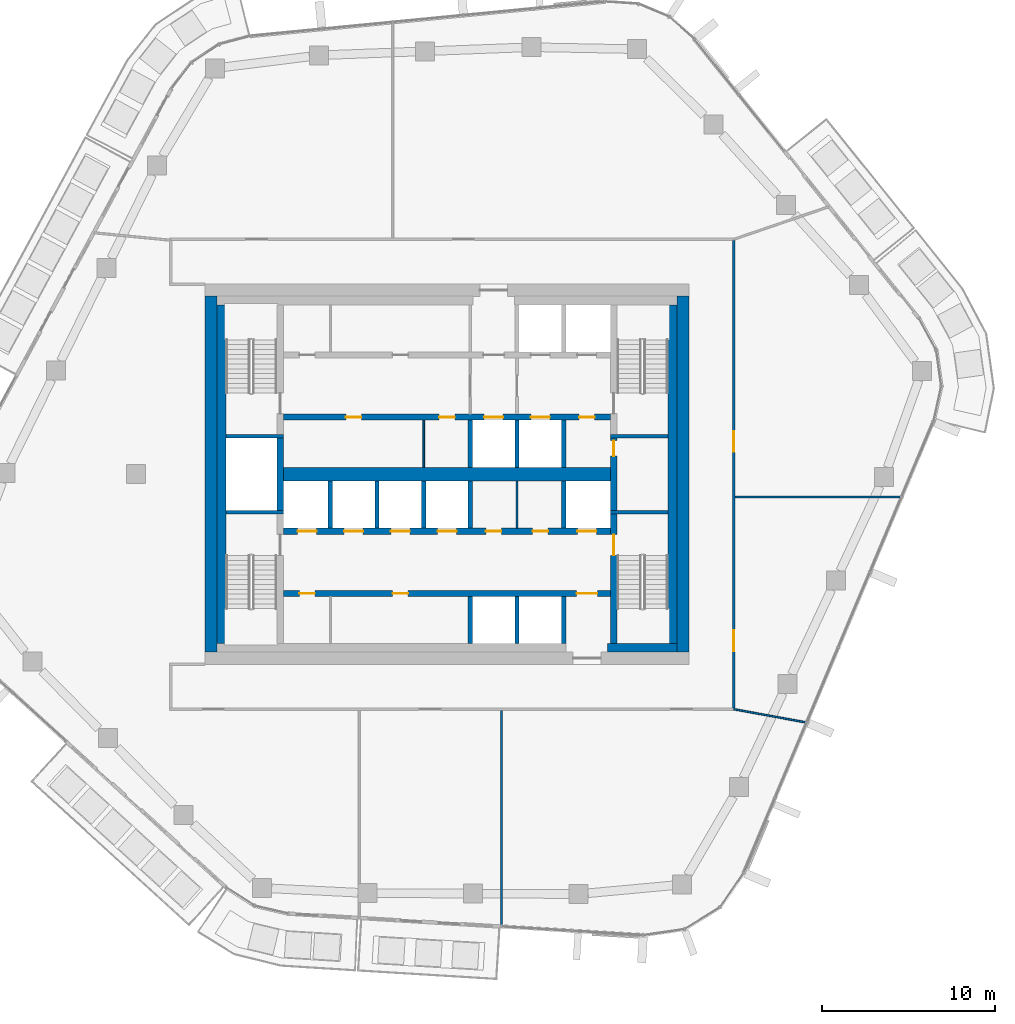
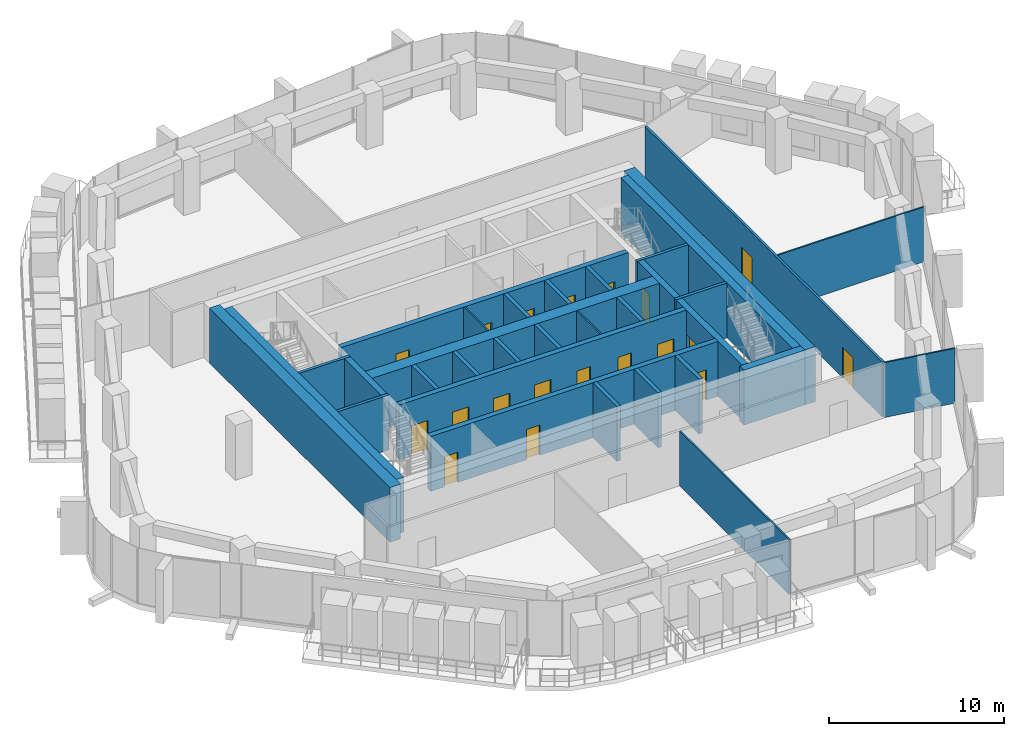
# One storey, part 12 of 20: 33 walls, 19 doors, 19 openings.
"""IFC4 building model written with IfcOpenShell, lengths in metres."""

from ifc_helpers import new_model, si_unit, direction, frame, frame_2d, origin, place, context, subcontext, project, spatial, rectangle, extrude, material, layer, layer_set, type_object, element, fill, save


model = new_model("IFC4")

# Units and contexts
model_context = context("Model", 3, precision=1e-05, world=origin(), true_north=direction((0.0, 1.0)))
body_context = subcontext(model_context, "Body", "Model", "MODEL_VIEW")
ifc_project = project(units=[si_unit("LENGTHUNIT", "METRE"), si_unit("AREAUNIT", "SQUARE_METRE"), si_unit("VOLUMEUNIT", "CUBIC_METRE"), si_unit("PLANEANGLEUNIT", "RADIAN"), si_unit("MASSUNIT", "GRAM", prefix="KILO")], contexts=[model_context])

# Site, building, storey
site_placement = place(None, origin())
site = spatial("IfcSite", under=ifc_project, at=site_placement, CompositionType="ELEMENT")
building_placement = place(site_placement, origin())
building = spatial("IfcBuilding", under=site, at=building_placement, Name="Dongbaek Canopy Tower", CompositionType="ELEMENT")
storey_placement = place(building_placement, frame((0.0, 0.0, 258.0)))
storey = spatial("IfcBuildingStorey", under=building, at=storey_placement, Name="L54", CompositionType="ELEMENT", Elevation=258.0)

# Wall
ifc_material_1 = material(Name="Concrete C60/75", Category="concrete")
ifc_layer_1 = layer(ifc_material_1, 0.800048828125)
ifc_layer_set_1 = layer_set([ifc_layer_1], Name="Core central wall 800 Concrete C60/75")
wall_type_1 = type_object("IfcWallType", Name="Core central wall 800 Concrete C60/75", PredefinedType="SHEAR", material=ifc_layer_set_1)
wall_1_placement = place(storey_placement, frame((-9.449951171875, 0.0, 0.0), z_axis=(0.0, 0.0, 1.0), x_axis=(1.0, 0.0, 0.0)))
element("IfcWall", 1, at=wall_1_placement, inside=storey, type_object=wall_type_1, Name="Core wall", PredefinedType="SHEAR", context=body_context, shape_type="SweptSolid", body=[
    extrude(rectangle(XDim=18.89990234375, YDim=0.800048828125, at=frame_2d((9.449951171875, 0.0))), origin(), (0.0, 0.0, 1.0), 3.820068359375),
])

# Wall, openings, doors
ifc_material_2 = material(Name="Concrete C60/75", Category="concrete")
ifc_layer_2 = layer(ifc_material_2, 0.35009765625)
ifc_layer_set_2 = layer_set([ifc_layer_2], Name="Core lobby wall 350 Concrete C60/75")
wall_type_2 = type_object("IfcWallType", Name="Core lobby wall 350 Concrete C60/75", PredefinedType="SHEAR", material=ifc_layer_set_2)
wall_2_placement = place(storey_placement, frame((9.449951171875, 3.300048828125, 0.0), z_axis=(0.0, 0.0, 1.0), x_axis=(-1.0, 0.0, 0.0)))
wall_2 = element("IfcWall", 2, at=wall_2_placement, inside=storey, type_object=wall_type_2, Name="Core wall", PredefinedType="SHEAR", context=body_context, shape_type="SweptSolid", body=[
    extrude(rectangle(XDim=18.89990234375, YDim=0.35009765625, at=frame_2d((9.449951171875, 0.0))), origin(), (0.0, 0.0, 1.0), 3.820068359375),
])
opening_1_placement = place(wall_2_placement, frame((6.199951171875, 0.0, 0.0)))
opening_1 = element("IfcOpeningElement", 3, at=opening_1_placement, cuts=wall_2, Name="Opening L54-D013", PredefinedType="OPENING", context=body_context, shape_type="SweptSolid", body=[
    extrude(rectangle(XDim=1.10009765625, YDim=2.10009765625, at=frame_2d((0.550048828125, 1.050048828125))), frame((0.0, 0.18505859375, 0.0), z_axis=(0.0, -1.0, 0.0), x_axis=(1.0, 0.0, 0.0)), (0.0, 0.0, 1.0), 0.3701171875),
])
opening_2_placement = place(wall_2_placement, frame((3.5, 0.0, 0.0)))
opening_2 = element("IfcOpeningElement", 4, at=opening_2_placement, cuts=wall_2, Name="Opening L54-D014", PredefinedType="OPENING", context=body_context, shape_type="SweptSolid", body=[
    extrude(rectangle(XDim=1.10009765625, YDim=2.10009765625, at=frame_2d((0.550048828125, 1.050048828125))), frame((0.0, 0.18505859375, 0.0), z_axis=(0.0, -1.0, 0.0), x_axis=(1.0, 0.0, 0.0)), (0.0, 0.0, 1.0), 0.3701171875),
])
opening_3_placement = place(wall_2_placement, frame((0.89990234375, 0.0, 0.0)))
opening_3 = element("IfcOpeningElement", 5, at=opening_3_placement, cuts=wall_2, Name="Opening L54-D015", PredefinedType="OPENING", context=body_context, shape_type="SweptSolid", body=[
    extrude(rectangle(XDim=0.89990234375, YDim=2.10009765625, at=frame_2d((0.449951171875, 1.050048828125))), frame((0.0, 0.18505859375, 0.0), z_axis=(0.0, -1.0, 0.0), x_axis=(1.0, 0.0, 0.0)), (0.0, 0.0, 1.0), 0.3701171875),
])
opening_4_placement = place(wall_2_placement, frame((14.39990234375, 0.0, 0.0)))
opening_4 = element("IfcOpeningElement", 6, at=opening_4_placement, cuts=wall_2, Name="Opening L54-D025", PredefinedType="OPENING", context=body_context, shape_type="SweptSolid", body=[
    extrude(rectangle(XDim=0.89990234375, YDim=2.10009765625, at=frame_2d((0.449951171875, 1.050048828125))), frame((0.0, 0.18505859375, 0.0), z_axis=(0.0, -1.0, 0.0), x_axis=(1.0, 0.0, 0.0)), (0.0, 0.0, 1.0), 0.3701171875),
])
opening_5_placement = place(wall_2_placement, frame((9.0, 0.0, 0.0)))
opening_5 = element("IfcOpeningElement", 7, at=opening_5_placement, cuts=wall_2, Name="Opening L54-D026", PredefinedType="OPENING", context=body_context, shape_type="SweptSolid", body=[
    extrude(rectangle(XDim=0.89990234375, YDim=2.10009765625, at=frame_2d((0.449951171875, 1.050048828125))), frame((0.0, 0.18505859375, 0.0), z_axis=(0.0, -1.0, 0.0), x_axis=(1.0, 0.0, 0.0)), (0.0, 0.0, 1.0), 0.3701171875),
])
ifc_material_3 = material(Name="Steel", Category="steel")
door_type_1 = type_object("IfcDoorType", Name="Core room door 900 x 2100", OperationType="SINGLE_SWING_LEFT", PredefinedType="DOOR", material=ifc_material_3)
door_1_placement = place(opening_3_placement, origin())
door_1 = element("IfcDoor", 8, at=door_1_placement, inside=storey, type_object=door_type_1, Name="Door L54-D015", OperationType="SINGLE_SWING_LEFT", OverallHeight=2.10009765625, OverallWidth=0.89990234375, PredefinedType="DOOR", context=body_context, shape_type="SweptSolid", body=[
    extrude(rectangle(XDim=0.89990234375, YDim=2.10009765625, at=frame_2d((0.449951171875, 1.050048828125))), frame((0.0, 0.02490234375, 0.0), z_axis=(0.0, -1.0, 0.0), x_axis=(1.0, 0.0, 0.0)), (0.0, 0.0, 1.0), 0.050048828125),
])
fill(opening_3, door_1)
door_2_placement = place(opening_4_placement, origin())
door_2 = element("IfcDoor", 9, at=door_2_placement, inside=storey, type_object=door_type_1, Name="Door L54-D025", OperationType="SINGLE_SWING_RIGHT", OverallHeight=2.10009765625, OverallWidth=0.89990234375, PredefinedType="DOOR", context=body_context, shape_type="SweptSolid", body=[
    extrude(rectangle(XDim=0.89990234375, YDim=2.10009765625, at=frame_2d((0.449951171875, 1.050048828125))), frame((0.0, 0.02490234375, 0.0), z_axis=(0.0, -1.0, 0.0), x_axis=(1.0, 0.0, 0.0)), (0.0, 0.0, 1.0), 0.050048828125),
])
fill(opening_4, door_2)
door_3_placement = place(opening_5_placement, origin())
door_3 = element("IfcDoor", 10, at=door_3_placement, inside=storey, type_object=door_type_1, Name="Door L54-D026", OperationType="SINGLE_SWING_LEFT", OverallHeight=2.10009765625, OverallWidth=0.89990234375, PredefinedType="DOOR", context=body_context, shape_type="SweptSolid", body=[
    extrude(rectangle(XDim=0.89990234375, YDim=2.10009765625, at=frame_2d((0.449951171875, 1.050048828125))), frame((0.0, 0.02490234375, 0.0), z_axis=(0.0, -1.0, 0.0), x_axis=(1.0, 0.0, 0.0)), (0.0, 0.0, 1.0), 0.050048828125),
])
fill(opening_5, door_3)
ifc_material_4 = material(Name="Stainless steel", Category="steel")
door_type_2 = type_object("IfcDoorType", Name="Lift landing door 1100 x 2100", OperationType="DOUBLE_DOOR_SLIDING", PredefinedType="DOOR", material=ifc_material_4)
door_4_placement = place(opening_1_placement, origin())
door_4 = element("IfcDoor", 11, at=door_4_placement, inside=storey, type_object=door_type_2, Name="Landing door SV1", OperationType="DOUBLE_DOOR_SLIDING", OverallHeight=2.10009765625, OverallWidth=1.10009765625, PredefinedType="DOOR", context=body_context, shape_type="SweptSolid", body=[
    extrude(rectangle(XDim=1.10009765625, YDim=2.10009765625, at=frame_2d((0.550048828125, 1.050048828125))), frame((0.0, 0.02490234375, 0.0), z_axis=(0.0, -1.0, 0.0), x_axis=(1.0, 0.0, 0.0)), (0.0, 0.0, 1.0), 0.050048828125),
])
fill(opening_1, door_4)
door_5_placement = place(opening_2_placement, origin())
door_5 = element("IfcDoor", 12, at=door_5_placement, inside=storey, type_object=door_type_2, Name="Landing door FF3", OperationType="DOUBLE_DOOR_SLIDING", OverallHeight=2.10009765625, OverallWidth=1.10009765625, PredefinedType="DOOR", context=body_context, shape_type="SweptSolid", body=[
    extrude(rectangle(XDim=1.10009765625, YDim=2.10009765625, at=frame_2d((0.550048828125, 1.050048828125))), frame((0.0, 0.02490234375, 0.0), z_axis=(0.0, -1.0, 0.0), x_axis=(1.0, 0.0, 0.0)), (0.0, 0.0, 1.0), 0.050048828125),
])
fill(opening_2, door_5)

wall_3_placement = place(storey_placement, frame((-9.449951171875, -3.300048828125, 0.0), z_axis=(0.0, 0.0, 1.0), x_axis=(1.0, 0.0, 0.0)))
wall_3 = element("IfcWall", 13, at=wall_3_placement, inside=storey, type_object=wall_type_2, Name="Core wall", PredefinedType="SHEAR", context=body_context, shape_type="SweptSolid", body=[
    extrude(rectangle(XDim=18.89990234375, YDim=0.35009765625, at=frame_2d((9.449951171875, 0.0))), origin(), (0.0, 0.0, 1.0), 3.820068359375),
])
opening_6_placement = place(wall_3_placement, frame((0.800048828125, 0.0, 0.0)))
opening_6 = element("IfcOpeningElement", 14, at=opening_6_placement, cuts=wall_3, Name="Opening L54-D016", PredefinedType="OPENING", context=body_context, shape_type="SweptSolid", body=[
    extrude(rectangle(XDim=1.10009765625, YDim=2.10009765625, at=frame_2d((0.550048828125, 1.050048828125))), frame((0.0, 0.18505859375, 0.0), z_axis=(0.0, -1.0, 0.0), x_axis=(1.0, 0.0, 0.0)), (0.0, 0.0, 1.0), 0.3701171875),
])
opening_7_placement = place(wall_3_placement, frame((3.5, 0.0, 0.0)))
opening_7 = element("IfcOpeningElement", 15, at=opening_7_placement, cuts=wall_3, Name="Opening L54-D017", PredefinedType="OPENING", context=body_context, shape_type="SweptSolid", body=[
    extrude(rectangle(XDim=1.10009765625, YDim=2.10009765625, at=frame_2d((0.550048828125, 1.050048828125))), frame((0.0, 0.18505859375, 0.0), z_axis=(0.0, -1.0, 0.0), x_axis=(1.0, 0.0, 0.0)), (0.0, 0.0, 1.0), 0.3701171875),
])
opening_8_placement = place(wall_3_placement, frame((6.199951171875, 0.0, 0.0)))
opening_8 = element("IfcOpeningElement", 16, at=opening_8_placement, cuts=wall_3, Name="Opening L54-D018", PredefinedType="OPENING", context=body_context, shape_type="SweptSolid", body=[
    extrude(rectangle(XDim=1.10009765625, YDim=2.10009765625, at=frame_2d((0.550048828125, 1.050048828125))), frame((0.0, 0.18505859375, 0.0), z_axis=(0.0, -1.0, 0.0), x_axis=(1.0, 0.0, 0.0)), (0.0, 0.0, 1.0), 0.3701171875),
])
opening_9_placement = place(wall_3_placement, frame((8.89990234375, 0.0, 0.0)))
opening_9 = element("IfcOpeningElement", 17, at=opening_9_placement, cuts=wall_3, Name="Opening L54-D019", PredefinedType="OPENING", context=body_context, shape_type="SweptSolid", body=[
    extrude(rectangle(XDim=1.10009765625, YDim=2.10009765625, at=frame_2d((0.550048828125, 1.050048828125))), frame((0.0, 0.18505859375, 0.0), z_axis=(0.0, -1.0, 0.0), x_axis=(1.0, 0.0, 0.0)), (0.0, 0.0, 1.0), 0.3701171875),
])
opening_10_placement = place(wall_3_placement, frame((17.0, 0.0, 0.0)))
opening_10 = element("IfcOpeningElement", 18, at=opening_10_placement, cuts=wall_3, Name="Opening L54-D020", PredefinedType="OPENING", context=body_context, shape_type="SweptSolid", body=[
    extrude(rectangle(XDim=1.10009765625, YDim=2.10009765625, at=frame_2d((0.550048828125, 1.050048828125))), frame((0.0, 0.18505859375, 0.0), z_axis=(0.0, -1.0, 0.0), x_axis=(1.0, 0.0, 0.0)), (0.0, 0.0, 1.0), 0.3701171875),
])
opening_11_placement = place(wall_3_placement, frame((11.699951171875, 0.0, 0.0)))
opening_11 = element("IfcOpeningElement", 19, at=opening_11_placement, cuts=wall_3, Name="Opening L54-D027", PredefinedType="OPENING", context=body_context, shape_type="SweptSolid", body=[
    extrude(rectangle(XDim=0.89990234375, YDim=2.10009765625, at=frame_2d((0.449951171875, 1.050048828125))), frame((0.0, 0.18505859375, 0.0), z_axis=(0.0, -1.0, 0.0), x_axis=(1.0, 0.0, 0.0)), (0.0, 0.0, 1.0), 0.3701171875),
])
opening_12_placement = place(wall_3_placement, frame((14.39990234375, 0.0, 0.0)))
opening_12 = element("IfcOpeningElement", 20, at=opening_12_placement, cuts=wall_3, Name="Opening L54-D028", PredefinedType="OPENING", context=body_context, shape_type="SweptSolid", body=[
    extrude(rectangle(XDim=0.89990234375, YDim=2.10009765625, at=frame_2d((0.449951171875, 1.050048828125))), frame((0.0, 0.18505859375, 0.0), z_axis=(0.0, -1.0, 0.0), x_axis=(1.0, 0.0, 0.0)), (0.0, 0.0, 1.0), 0.3701171875),
])
door_6_placement = place(opening_11_placement, origin())
door_6 = element("IfcDoor", 21, at=door_6_placement, inside=storey, type_object=door_type_1, Name="Door L54-D027", OperationType="SINGLE_SWING_RIGHT", OverallHeight=2.10009765625, OverallWidth=0.89990234375, PredefinedType="DOOR", context=body_context, shape_type="SweptSolid", body=[
    extrude(rectangle(XDim=0.89990234375, YDim=2.10009765625, at=frame_2d((0.449951171875, 1.050048828125))), frame((0.0, 0.02490234375, 0.0), z_axis=(0.0, -1.0, 0.0), x_axis=(1.0, 0.0, 0.0)), (0.0, 0.0, 1.0), 0.050048828125),
])
fill(opening_11, door_6)
door_7_placement = place(opening_12_placement, origin())
door_7 = element("IfcDoor", 22, at=door_7_placement, inside=storey, type_object=door_type_1, Name="Door L54-D028", OperationType="SINGLE_SWING_LEFT", OverallHeight=2.10009765625, OverallWidth=0.89990234375, PredefinedType="DOOR", context=body_context, shape_type="SweptSolid", body=[
    extrude(rectangle(XDim=0.89990234375, YDim=2.10009765625, at=frame_2d((0.449951171875, 1.050048828125))), frame((0.0, 0.02490234375, 0.0), z_axis=(0.0, -1.0, 0.0), x_axis=(1.0, 0.0, 0.0)), (0.0, 0.0, 1.0), 0.050048828125),
])
fill(opening_12, door_7)
door_8_placement = place(opening_6_placement, origin())
door_8 = element("IfcDoor", 23, at=door_8_placement, inside=storey, type_object=door_type_2, Name="Landing door MR1", OperationType="DOUBLE_DOOR_SLIDING", OverallHeight=2.10009765625, OverallWidth=1.10009765625, PredefinedType="DOOR", context=body_context, shape_type="SweptSolid", body=[
    extrude(rectangle(XDim=1.10009765625, YDim=2.10009765625, at=frame_2d((0.550048828125, 1.050048828125))), frame((0.0, 0.02490234375, 0.0), z_axis=(0.0, -1.0, 0.0), x_axis=(1.0, 0.0, 0.0)), (0.0, 0.0, 1.0), 0.050048828125),
])
fill(opening_6, door_8)
door_9_placement = place(opening_7_placement, origin())
door_9 = element("IfcDoor", 24, at=door_9_placement, inside=storey, type_object=door_type_2, Name="Landing door MR2", OperationType="DOUBLE_DOOR_SLIDING", OverallHeight=2.10009765625, OverallWidth=1.10009765625, PredefinedType="DOOR", context=body_context, shape_type="SweptSolid", body=[
    extrude(rectangle(XDim=1.10009765625, YDim=2.10009765625, at=frame_2d((0.550048828125, 1.050048828125))), frame((0.0, 0.02490234375, 0.0), z_axis=(0.0, -1.0, 0.0), x_axis=(1.0, 0.0, 0.0)), (0.0, 0.0, 1.0), 0.050048828125),
])
fill(opening_7, door_9)
door_10_placement = place(opening_8_placement, origin())
door_10 = element("IfcDoor", 25, at=door_10_placement, inside=storey, type_object=door_type_2, Name="Landing door MR3", OperationType="DOUBLE_DOOR_SLIDING", OverallHeight=2.10009765625, OverallWidth=1.10009765625, PredefinedType="DOOR", context=body_context, shape_type="SweptSolid", body=[
    extrude(rectangle(XDim=1.10009765625, YDim=2.10009765625, at=frame_2d((0.550048828125, 1.050048828125))), frame((0.0, 0.02490234375, 0.0), z_axis=(0.0, -1.0, 0.0), x_axis=(1.0, 0.0, 0.0)), (0.0, 0.0, 1.0), 0.050048828125),
])
fill(opening_8, door_10)
door_11_placement = place(opening_9_placement, origin())
door_11 = element("IfcDoor", 26, at=door_11_placement, inside=storey, type_object=door_type_2, Name="Landing door MR4", OperationType="DOUBLE_DOOR_SLIDING", OverallHeight=2.10009765625, OverallWidth=1.10009765625, PredefinedType="DOOR", context=body_context, shape_type="SweptSolid", body=[
    extrude(rectangle(XDim=1.10009765625, YDim=2.10009765625, at=frame_2d((0.550048828125, 1.050048828125))), frame((0.0, 0.02490234375, 0.0), z_axis=(0.0, -1.0, 0.0), x_axis=(1.0, 0.0, 0.0)), (0.0, 0.0, 1.0), 0.050048828125),
])
fill(opening_9, door_11)
door_12_placement = place(opening_10_placement, origin())
door_12 = element("IfcDoor", 27, at=door_12_placement, inside=storey, type_object=door_type_2, Name="Landing door SV2", OperationType="DOUBLE_DOOR_SLIDING", OverallHeight=2.10009765625, OverallWidth=1.10009765625, PredefinedType="DOOR", context=body_context, shape_type="SweptSolid", body=[
    extrude(rectangle(XDim=1.10009765625, YDim=2.10009765625, at=frame_2d((0.550048828125, 1.050048828125))), frame((0.0, 0.02490234375, 0.0), z_axis=(0.0, -1.0, 0.0), x_axis=(1.0, 0.0, 0.0)), (0.0, 0.0, 1.0), 0.050048828125),
])
fill(opening_10, door_12)

wall_4_placement = place(storey_placement, frame((9.449951171875, -6.89990234375, 0.0), z_axis=(0.0, 0.0, 1.0), x_axis=(-1.0, 0.0, 0.0)))
wall_4 = element("IfcWall", 28, at=wall_4_placement, inside=storey, type_object=wall_type_2, Name="Core wall", PredefinedType="SHEAR", context=body_context, shape_type="SweptSolid", body=[
    extrude(rectangle(XDim=18.89990234375, YDim=0.35009765625, at=frame_2d((9.449951171875, 0.0))), origin(), (0.0, 0.0, 1.0), 3.820068359375),
])
opening_13_placement = place(wall_4_placement, frame((0.75, 0.0, 0.0)))
opening_13 = element("IfcOpeningElement", 29, at=opening_13_placement, cuts=wall_4, Name="Opening L54-D022", PredefinedType="OPENING", context=body_context, shape_type="SweptSolid", body=[
    extrude(rectangle(XDim=1.199951171875, YDim=2.10009765625, at=frame_2d((0.60009765625, 1.050048828125))), frame((0.0, 0.18505859375, 0.0), z_axis=(0.0, -1.0, 0.0), x_axis=(1.0, 0.0, 0.0)), (0.0, 0.0, 1.0), 0.3701171875),
])
opening_14_placement = place(wall_4_placement, frame((17.10009765625, 0.0, 0.0)))
opening_14 = element("IfcOpeningElement", 30, at=opening_14_placement, cuts=wall_4, Name="Opening L54-D029", PredefinedType="OPENING", context=body_context, shape_type="SweptSolid", body=[
    extrude(rectangle(XDim=0.89990234375, YDim=2.10009765625, at=frame_2d((0.449951171875, 1.050048828125))), frame((0.0, 0.18505859375, 0.0), z_axis=(0.0, -1.0, 0.0), x_axis=(1.0, 0.0, 0.0)), (0.0, 0.0, 1.0), 0.3701171875),
])
opening_15_placement = place(wall_4_placement, frame((11.699951171875, 0.0, 0.0)))
opening_15 = element("IfcOpeningElement", 31, at=opening_15_placement, cuts=wall_4, Name="Opening L54-D030", PredefinedType="OPENING", context=body_context, shape_type="SweptSolid", body=[
    extrude(rectangle(XDim=0.89990234375, YDim=2.10009765625, at=frame_2d((0.449951171875, 1.050048828125))), frame((0.0, 0.18505859375, 0.0), z_axis=(0.0, -1.0, 0.0), x_axis=(1.0, 0.0, 0.0)), (0.0, 0.0, 1.0), 0.3701171875),
])
door_13_placement = place(opening_14_placement, origin())
door_13 = element("IfcDoor", 32, at=door_13_placement, inside=storey, type_object=door_type_1, Name="Door L54-D029", OperationType="SINGLE_SWING_RIGHT", OverallHeight=2.10009765625, OverallWidth=0.89990234375, PredefinedType="DOOR", context=body_context, shape_type="SweptSolid", body=[
    extrude(rectangle(XDim=0.89990234375, YDim=2.10009765625, at=frame_2d((0.449951171875, 1.050048828125))), frame((0.0, 0.02490234375, 0.0), z_axis=(0.0, -1.0, 0.0), x_axis=(1.0, 0.0, 0.0)), (0.0, 0.0, 1.0), 0.050048828125),
])
fill(opening_14, door_13)
door_14_placement = place(opening_15_placement, origin())
door_14 = element("IfcDoor", 33, at=door_14_placement, inside=storey, type_object=door_type_1, Name="Door L54-D030", OperationType="SINGLE_SWING_LEFT", OverallHeight=2.10009765625, OverallWidth=0.89990234375, PredefinedType="DOOR", context=body_context, shape_type="SweptSolid", body=[
    extrude(rectangle(XDim=0.89990234375, YDim=2.10009765625, at=frame_2d((0.449951171875, 1.050048828125))), frame((0.0, 0.02490234375, 0.0), z_axis=(0.0, -1.0, 0.0), x_axis=(1.0, 0.0, 0.0)), (0.0, 0.0, 1.0), 0.050048828125),
])
fill(opening_15, door_14)
ifc_material_5 = material(Name="Steel", Category="steel")
door_type_3 = type_object("IfcDoorType", Name="Fire lobby door 1200 x 2100", OperationType="SINGLE_SWING_LEFT", PredefinedType="DOOR", material=ifc_material_5)
door_15_placement = place(opening_13_placement, origin())
door_15 = element("IfcDoor", 34, at=door_15_placement, inside=storey, type_object=door_type_3, Name="Door L54-D022", OperationType="SINGLE_SWING_LEFT", OverallHeight=2.10009765625, OverallWidth=1.199951171875, PredefinedType="DOOR", context=body_context, shape_type="SweptSolid", body=[
    extrude(rectangle(XDim=1.199951171875, YDim=2.10009765625, at=frame_2d((0.60009765625, 1.050048828125))), frame((0.0, 0.02490234375, 0.0), z_axis=(0.0, -1.0, 0.0), x_axis=(1.0, 0.0, 0.0)), (0.0, 0.0, 1.0), 0.050048828125),
])
fill(opening_13, door_15)

# Walls
ifc_material_6 = material(Name="Concrete C70/85", Category="concrete")
ifc_layer_3 = layer(ifc_material_6, 0.699951171875)
ifc_layer_set_3 = layer_set([ifc_layer_3], Name="Core outer wall 700 Concrete C70/85")
wall_type_3 = type_object("IfcWallType", Name="Core outer wall 700 Concrete C70/85", PredefinedType="SHEAR", material=ifc_layer_set_3)
for number, where, z_axis, x_axis, name in (
    (35, (13.64990234375, 10.300048828125, 0.0), (0.0, 0.0, 1.0), (0.0, -1.0, 0.0), "Core wall"),
    (36, (-13.64990234375, -10.300048828125, 0.0), (0.0, 0.0, 1.0), (0.0, 1.0, 0.0), "Core wall"),
):
    element("IfcWall", number, at=place(storey_placement, frame(where, z_axis=z_axis, x_axis=x_axis)), inside=storey, type_object=wall_type_3, Name=name, PredefinedType="SHEAR", context=body_context, shape_type="SweptSolid", body=[
        extrude(rectangle(XDim=20.60009765625, YDim=0.699951171875, at=frame_2d((10.300048828125, 0.0))), origin(), (0.0, 0.0, 1.0), 3.820068359375),
    ])
ifc_material_7 = material(Name="Concrete C60/75", Category="concrete")
ifc_layer_4 = layer(ifc_material_7, 0.5)
ifc_layer_set_4 = layer_set([ifc_layer_4], Name="Core wall lining 500 Concrete C60/75")
wall_type_4 = type_object("IfcWallType", Name="Core wall lining 500 Concrete C60/75", PredefinedType="SHEAR", material=ifc_layer_set_4)
wall_5_placement = place(storey_placement, frame((13.300048828125, -10.050048828125, 0.0), z_axis=(0.0, 0.0, 1.0), x_axis=(-1.0, 0.0, 0.0)))
element("IfcWall", 37, at=wall_5_placement, inside=storey, type_object=wall_type_4, Name="Core wall lining", PredefinedType="SHEAR", context=body_context, shape_type="SweptSolid", body=[
    extrude(rectangle(XDim=4.0, YDim=0.5, at=frame_2d((2.0, 0.0))), origin(), (0.0, 0.0, 1.0), 3.820068359375),
])
for number, where, z_axis, x_axis, name in (
    (38, (13.050048828125, 9.800048828125, 0.0), (0.0, 0.0, 1.0), (0.0, -1.0, 0.0), "Core wall lining"),
    (39, (-13.050048828125, -9.800048828125, 0.0), (0.0, 0.0, 1.0), (0.0, 1.0, 0.0), "Core wall lining"),
):
    element("IfcWall", number, at=place(storey_placement, frame(where, z_axis=z_axis, x_axis=x_axis)), inside=storey, type_object=wall_type_4, Name=name, PredefinedType="SHEAR", context=body_context, shape_type="SweptSolid", body=[
        extrude(rectangle(XDim=19.60009765625, YDim=0.5, at=frame_2d((9.800048828125, 0.0))), origin(), (0.0, 0.0, 1.0), 3.820068359375),
    ])

# Wall, openings, doors
ifc_material_8 = material(Name="Gypsum board partition, steel stud, 2 x 15 mm fire board", Category="steel")
ifc_layer_5 = layer(ifc_material_8, 0.14990234375)
ifc_layer_set_5 = layer_set([ifc_layer_5], Name="Fire-rated partition 150 gypsum board")
wall_type_5 = type_object("IfcWallType", Name="Fire-rated partition 150 gypsum board", PredefinedType="PARTITIONING", material=ifc_layer_set_5)
wall_6_placement = place(storey_placement, frame((16.60009765625, 13.52490234375, 0.0), z_axis=(0.0, 0.0, 1.0), x_axis=(0.0, -1.0, 0.0)))
wall_6 = element("IfcWall", 40, at=wall_6_placement, inside=storey, type_object=wall_type_5, Name="Corridor partition", PredefinedType="PARTITIONING", context=body_context, shape_type="SweptSolid", body=[
    extrude(rectangle(XDim=27.0498046875, YDim=0.14990234375, at=frame_2d((13.52490234375, 0.0))), origin(), (0.0, 0.0, 1.0), 3.820068359375),
])
opening_16_placement = place(wall_6_placement, frame((22.558837890625, 0.0, 0.0)))
opening_16 = element("IfcOpeningElement", 41, at=opening_16_placement, cuts=wall_6, Name="Opening L54-D004", PredefinedType="OPENING", context=body_context, shape_type="SweptSolid", body=[
    extrude(rectangle(XDim=1.199951171875, YDim=2.10009765625, at=frame_2d((0.60009765625, 1.050048828125))), frame((0.0, 0.0849609375, 0.0), z_axis=(0.0, -1.0, 0.0), x_axis=(1.0, 0.0, 0.0)), (0.0, 0.0, 1.0), 0.169921875),
])
opening_17_placement = place(wall_6_placement, frame((11.035888671875, 0.0, 0.0)))
opening_17 = element("IfcOpeningElement", 42, at=opening_17_placement, cuts=wall_6, Name="Opening L54-D005", PredefinedType="OPENING", context=body_context, shape_type="SweptSolid", body=[
    extrude(rectangle(XDim=1.199951171875, YDim=2.10009765625, at=frame_2d((0.60009765625, 1.050048828125))), frame((0.0, 0.0849609375, 0.0), z_axis=(0.0, -1.0, 0.0), x_axis=(1.0, 0.0, 0.0)), (0.0, 0.0, 1.0), 0.169921875),
])
ifc_material_9 = material(Name="Timber veneered door leaf", Category="wood")
door_type_4 = type_object("IfcDoorType", Name="Room door 1200 x 2100", OperationType="SINGLE_SWING_LEFT", PredefinedType="DOOR", material=ifc_material_9)
door_16_placement = place(opening_16_placement, origin())
door_16 = element("IfcDoor", 43, at=door_16_placement, inside=storey, type_object=door_type_4, Name="Door L54-D004", OperationType="SINGLE_SWING_LEFT", OverallHeight=2.10009765625, OverallWidth=1.199951171875, PredefinedType="DOOR", context=body_context, shape_type="SweptSolid", body=[
    extrude(rectangle(XDim=1.199951171875, YDim=2.10009765625, at=frame_2d((0.60009765625, 1.050048828125))), frame((0.0, 0.02490234375, 0.0), z_axis=(0.0, -1.0, 0.0), x_axis=(1.0, 0.0, 0.0)), (0.0, 0.0, 1.0), 0.050048828125),
])
fill(opening_16, door_16)
door_17_placement = place(opening_17_placement, origin())
door_17 = element("IfcDoor", 44, at=door_17_placement, inside=storey, type_object=door_type_4, Name="Door L54-D005", OperationType="SINGLE_SWING_RIGHT", OverallHeight=2.10009765625, OverallWidth=1.199951171875, PredefinedType="DOOR", context=body_context, shape_type="SweptSolid", body=[
    extrude(rectangle(XDim=1.199951171875, YDim=2.10009765625, at=frame_2d((0.60009765625, 1.050048828125))), frame((0.0, 0.02490234375, 0.0), z_axis=(0.0, -1.0, 0.0), x_axis=(1.0, 0.0, 0.0)), (0.0, 0.0, 1.0), 0.050048828125),
])
fill(opening_17, door_17)

# Walls
ifc_material_10 = material(Name="Concrete C40/50", Category="concrete")
ifc_layer_6 = layer(ifc_material_10, 0.25)
ifc_layer_set_6 = layer_set([ifc_layer_6], Name="Lift shaft wall 250 Concrete C40/50")
wall_type_6 = type_object("IfcWallType", Name="Lift shaft wall 250 Concrete C40/50", PredefinedType="SOLIDWALL", material=ifc_layer_set_6)
for number, where, z_axis, x_axis, name in (
    (45, (6.75, -9.800048828125, 0.0), (0.0, 0.0, 1.0), (0.0, 1.0, 0.0), "Lift shaft wall"),
    (46, (6.75, -3.125, 0.0), (0.0, 0.0, 1.0), (0.0, 1.0, 0.0), "Lift shaft wall"),
    (47, (6.75, 0.39990234375, 0.0), (0.0, 0.0, 1.0), (0.0, 1.0, 0.0), "Lift shaft wall"),
    (48, (4.050048828125, -9.800048828125, 0.0), (0.0, 0.0, 1.0), (0.0, 1.0, 0.0), "Lift shaft wall"),
    (49, (4.050048828125, 0.39990234375, 0.0), (0.0, 0.0, 1.0), (0.0, 1.0, 0.0), "Lift shaft wall"),
    (50, (1.35009765625, -9.800048828125, 0.0), (0.0, 0.0, 1.0), (0.0, 1.0, 0.0), "Lift shaft wall"),
    (51, (1.35009765625, -3.125, 0.0), (0.0, 0.0, 1.0), (0.0, 1.0, 0.0), "Lift shaft wall"),
    (52, (1.35009765625, 0.39990234375, 0.0), (0.0, 0.0, 1.0), (0.0, 1.0, 0.0), "Lift shaft wall"),
    (53, (-1.35009765625, -3.125, 0.0), (0.0, 0.0, 1.0), (0.0, 1.0, 0.0), "Lift shaft wall"),
    (54, (-4.050048828125, -3.125, 0.0), (0.0, 0.0, 1.0), (0.0, 1.0, 0.0), "Lift shaft wall"),
    (55, (-6.75, -3.125, 0.0), (0.0, 0.0, 1.0), (0.0, 1.0, 0.0), "Lift shaft wall"),
):
    element("IfcWall", number, at=place(storey_placement, frame(where, z_axis=z_axis, x_axis=x_axis)), inside=storey, type_object=wall_type_6, Name=name, PredefinedType="SOLIDWALL", context=body_context, shape_type="SweptSolid", body=[
        extrude(rectangle(XDim=2.72509765625, YDim=0.25, at=frame_2d((1.362548828125, 0.0))), origin(), (0.0, 0.0, 1.0), 3.820068359375),
    ])
ifc_material_11 = material(Name="Gypsum board partition, steel stud, 2 x 12.5 mm board", Category="steel")
ifc_layer_7 = layer(ifc_material_11, 0.10009765625)
ifc_layer_set_7 = layer_set([ifc_layer_7], Name="Partition 100 gypsum board")
wall_type_7 = type_object("IfcWallType", Name="Partition 100 gypsum board", PredefinedType="PARTITIONING", material=ifc_layer_set_7)
wall_7_placement = place(storey_placement, frame((16.675048828125, -1.31494140625, 0.0), z_axis=(0.0, 0.0, 1.0), x_axis=(1.0, 0.0, 0.0)))
element("IfcWall", 56, at=wall_7_placement, inside=storey, type_object=wall_type_7, Name="Partition", PredefinedType="PARTITIONING", context=body_context, shape_type="SweptSolid", body=[
    extrude(rectangle(XDim=9.625732421875, YDim=0.10009765625, at=frame_2d((4.81298828125, 0.0))), origin(), (0.0, 0.0, 1.0), 3.820068359375),
])
wall_8_placement = place(storey_placement, frame((3.14697265625, -26.16064453125, 0.0), z_axis=(0.0, 0.0, 1.0), x_axis=(0.0, 1.0, 0.0)))
element("IfcWall", 57, at=wall_8_placement, inside=storey, type_object=wall_type_7, Name="Partition", PredefinedType="PARTITIONING", context=body_context, shape_type="SweptSolid", body=[
    extrude(rectangle(XDim=12.485595703125, YDim=0.10009765625, at=frame_2d((6.24267578125, 0.0))), origin(), (0.0, 0.0, 1.0), 3.820068359375),
])
wall_9_placement = place(storey_placement, frame((16.60009765625, -13.599853515625, 0.0), z_axis=(0.0, 0.0, 1.0), x_axis=(0.983699688502, -0.179819139254, 0.0)))
element("IfcWall", 58, at=wall_9_placement, inside=storey, type_object=wall_type_7, Name="Partition", PredefinedType="PARTITIONING", context=body_context, shape_type="SweptSolid", body=[
    extrude(rectangle(XDim=4.279541015625, YDim=0.10009765625, at=frame_2d((2.1396484375, 0.0))), origin(), (0.0, 0.0, 1.0), 3.820068359375),
])
for number, where, z_axis, x_axis, name in (
    (59, (4.050048828125, -3.125, 0.0), (0.0, 0.0, 1.0), (0.0, 1.0, 0.0), "Core partition"),
    (60, (-1.35009765625, 0.39990234375, 0.0), (0.0, 0.0, 1.0), (0.0, 1.0, 0.0), "Core partition"),
):
    element("IfcWall", number, at=place(storey_placement, frame(where, z_axis=z_axis, x_axis=x_axis)), inside=storey, type_object=wall_type_7, Name=name, PredefinedType="PARTITIONING", context=body_context, shape_type="SweptSolid", body=[
        extrude(rectangle(XDim=2.72509765625, YDim=0.10009765625, at=frame_2d((1.362548828125, 0.0))), origin(), (0.0, 0.0, 1.0), 3.820068359375),
    ])
ifc_material_12 = material(Name="Concrete C60/75", Category="concrete")
ifc_layer_8 = layer(ifc_material_12, 0.199951171875)
ifc_layer_set_8 = layer_set([ifc_layer_8], Name="Riser wall 200 Concrete C60/75")
wall_type_8 = type_object("IfcWallType", Name="Riser wall 200 Concrete C60/75", PredefinedType="SHEAR", material=ifc_layer_set_8)
for number, where, z_axis, x_axis, name in (
    (61, (9.449951171875, 2.199951171875, 0.0), (0.0, 0.0, 1.0), (1.0, 0.0, 0.0), "Riser wall"),
    (62, (-9.449951171875, 2.199951171875, 0.0), (0.0, 0.0, 1.0), (-1.0, 0.0, 0.0), "Riser wall"),
    (63, (9.449951171875, -2.199951171875, 0.0), (0.0, 0.0, 1.0), (1.0, 0.0, 0.0), "Riser wall"),
    (64, (-9.449951171875, -2.199951171875, 0.0), (0.0, 0.0, 1.0), (-1.0, 0.0, 0.0), "Riser wall"),
):
    element("IfcWall", number, at=place(storey_placement, frame(where, z_axis=z_axis, x_axis=x_axis)), inside=storey, type_object=wall_type_8, Name=name, PredefinedType="SHEAR", context=body_context, shape_type="SweptSolid", body=[
        extrude(rectangle(XDim=3.35009765625, YDim=0.199951171875, at=frame_2d((1.675048828125, 0.0))), origin(), (0.0, 0.0, 1.0), 3.820068359375),
    ])

# Wall, opening, door
ifc_material_13 = material(Name="Concrete C60/75", Category="concrete")
ifc_layer_9 = layer(ifc_material_13, 0.39990234375)
ifc_layer_set_9 = layer_set([ifc_layer_9], Name="Stair wall 400 Concrete C60/75")
wall_type_9 = type_object("IfcWallType", Name="Stair wall 400 Concrete C60/75", PredefinedType="SHEAR", material=ifc_layer_set_9)
wall_10_placement = place(storey_placement, frame((9.64990234375, -2.300048828125, 0.0), z_axis=(0.0, 0.0, 1.0), x_axis=(0.0, -1.0, 0.0)))
wall_10 = element("IfcWall", 65, at=wall_10_placement, inside=storey, type_object=wall_type_9, Name="Stair wall", PredefinedType="SHEAR", context=body_context, shape_type="SweptSolid", body=[
    extrude(rectangle(XDim=7.5, YDim=0.39990234375, at=frame_2d((3.75, 0.0))), origin(), (0.0, 0.0, 1.0), 3.820068359375),
])
opening_18_placement = place(wall_10_placement, frame((1.199951171875, 0.0, 0.0)))
opening_18 = element("IfcOpeningElement", 66, at=opening_18_placement, cuts=wall_10, Name="Opening L54-D033", PredefinedType="OPENING", context=body_context, shape_type="SweptSolid", body=[
    extrude(rectangle(XDim=1.199951171875, YDim=2.10009765625, at=frame_2d((0.60009765625, 1.050048828125))), frame((0.0, 0.2099609375, 0.0), z_axis=(0.0, -1.0, 0.0), x_axis=(1.0, 0.0, 0.0)), (0.0, 0.0, 1.0), 0.419921875),
])
ifc_material_14 = material(Name="Steel", Category="steel")
door_type_5 = type_object("IfcDoorType", Name="Stair door 1200 x 2100", OperationType="SINGLE_SWING_LEFT", PredefinedType="DOOR", material=ifc_material_14)
door_18_placement = place(opening_18_placement, origin())
door_18 = element("IfcDoor", 67, at=door_18_placement, inside=storey, type_object=door_type_5, Name="Stair B door", OperationType="SINGLE_SWING_RIGHT", OverallHeight=2.10009765625, OverallWidth=1.199951171875, PredefinedType="DOOR", context=body_context, shape_type="SweptSolid", body=[
    extrude(rectangle(XDim=1.199951171875, YDim=2.10009765625, at=frame_2d((0.60009765625, 1.050048828125))), frame((0.0, 0.02490234375, 0.0), z_axis=(0.0, -1.0, 0.0), x_axis=(1.0, 0.0, 0.0)), (0.0, 0.0, 1.0), 0.050048828125),
])
fill(opening_18, door_18)

wall_11_placement = place(storey_placement, frame((9.64990234375, 2.10009765625, 0.0), z_axis=(0.0, 0.0, 1.0), x_axis=(0.0, -1.0, 0.0)))
wall_11 = element("IfcWall", 68, at=wall_11_placement, inside=storey, type_object=wall_type_9, Name="Stair wall", PredefinedType="SHEAR", context=body_context, shape_type="SweptSolid", body=[
    extrude(rectangle(XDim=4.2001953125, YDim=0.39990234375, at=frame_2d((2.10009765625, 0.0))), origin(), (0.0, 0.0, 1.0), 3.820068359375),
])
opening_19_placement = place(wall_11_placement, frame((0.14990234375, 0.0, 0.0)))
opening_19 = element("IfcOpeningElement", 69, at=opening_19_placement, cuts=wall_11, Name="Opening L54-D008", PredefinedType="OPENING", context=body_context, shape_type="SweptSolid", body=[
    extrude(rectangle(XDim=0.89990234375, YDim=2.10009765625, at=frame_2d((0.449951171875, 1.050048828125))), frame((0.0, 0.2099609375, 0.0), z_axis=(0.0, -1.0, 0.0), x_axis=(1.0, 0.0, 0.0)), (0.0, 0.0, 1.0), 0.419921875),
])
door_19_placement = place(opening_19_placement, origin())
door_19 = element("IfcDoor", 70, at=door_19_placement, inside=storey, type_object=door_type_1, Name="Door L54-D008", OperationType="SINGLE_SWING_RIGHT", OverallHeight=2.10009765625, OverallWidth=0.89990234375, PredefinedType="DOOR", context=body_context, shape_type="SweptSolid", body=[
    extrude(rectangle(XDim=0.89990234375, YDim=2.10009765625, at=frame_2d((0.449951171875, 1.050048828125))), frame((0.0, 0.02490234375, 0.0), z_axis=(0.0, -1.0, 0.0), x_axis=(1.0, 0.0, 0.0)), (0.0, 0.0, 1.0), 0.050048828125),
])
fill(opening_19, door_19)

# Wall
wall_12_placement = place(storey_placement, frame((-9.64990234375, -2.10009765625, 0.0), z_axis=(0.0, 0.0, 1.0), x_axis=(0.0, 1.0, 0.0)))
element("IfcWall", 71, at=wall_12_placement, inside=storey, type_object=wall_type_9, Name="Stair wall", PredefinedType="SHEAR", context=body_context, shape_type="SweptSolid", body=[
    extrude(rectangle(XDim=4.2001953125, YDim=0.39990234375, at=frame_2d((2.10009765625, 0.0))), origin(), (0.0, 0.0, 1.0), 3.820068359375),
])

save(model, "model.ifc")
